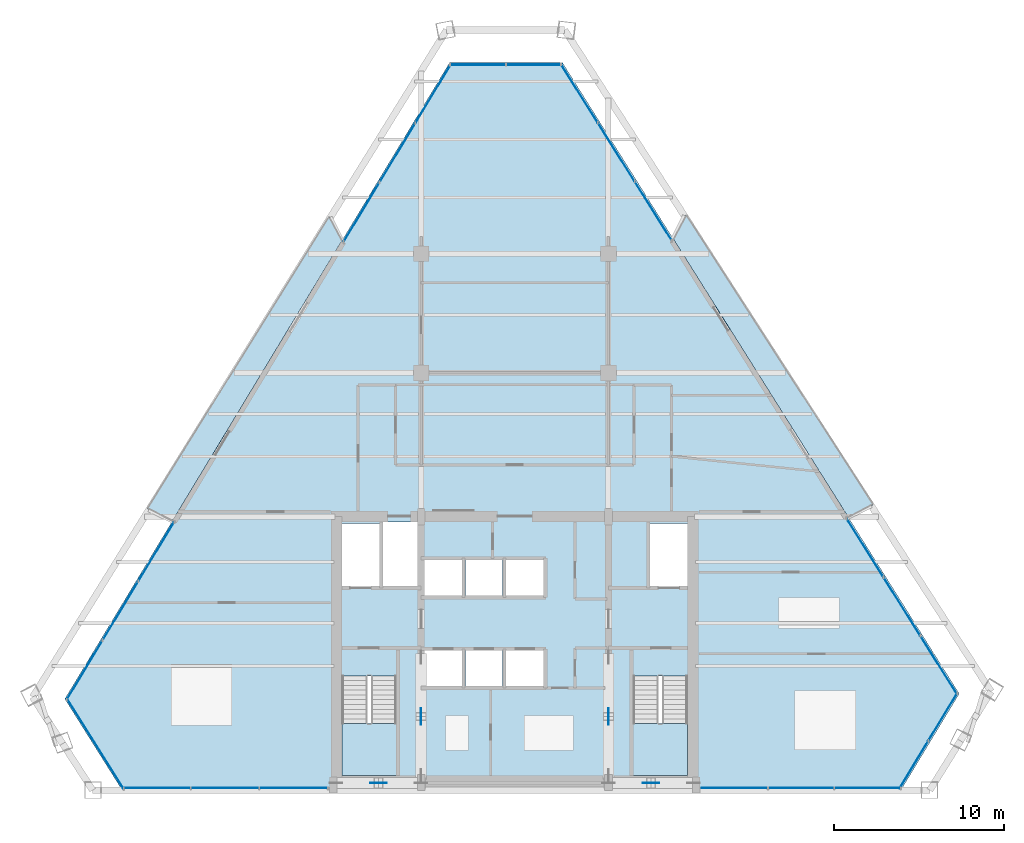
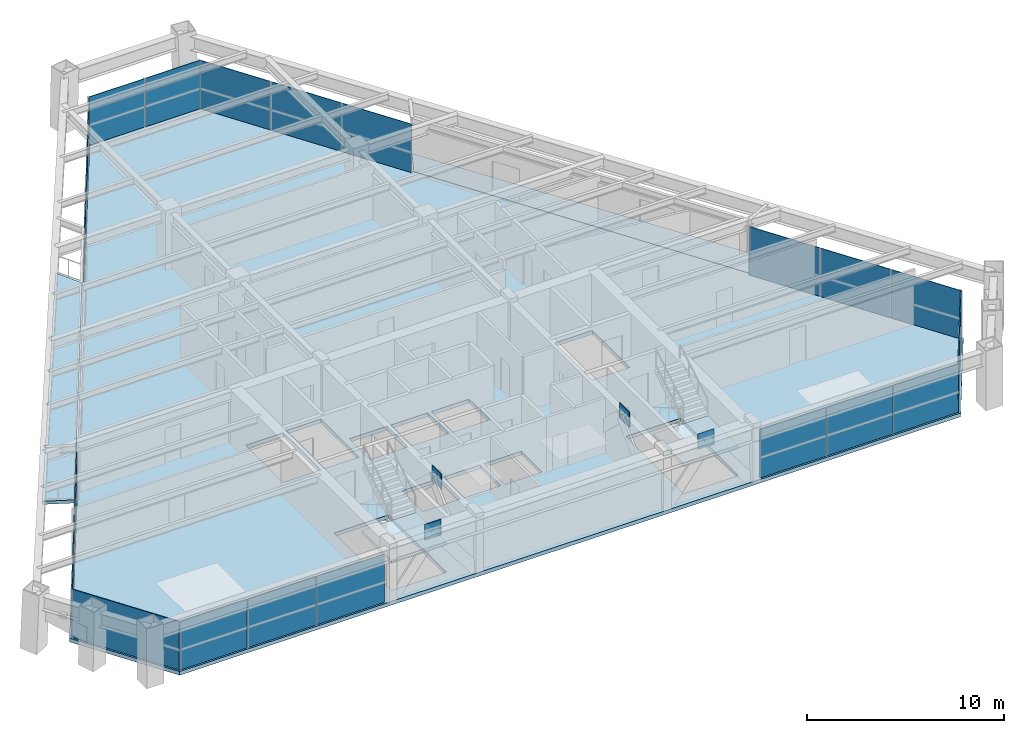
# One storey, part 7 of 12: 27 plates, 5 slabs, 11 elements without a shape of their own.
"""IFC4 building model written with IfcOpenShell, lengths in metres."""

from ifc_helpers import new_model, si_unit, direction, frame, origin, origin_2d, place, context, subcontext, project, spatial, polyline, rectangle, outline, extrude, source, transform, mapped, material, layer, layer_set, type_object, element, aggregate, save


model = new_model("IFC4")

# Units and contexts
model_context = context("Model", 3, precision=1e-05, world=origin(), true_north=direction((0.0, 1.0)))
body_context = subcontext(model_context, "Body", "Model", "MODEL_VIEW")
ifc_project = project(units=[si_unit("LENGTHUNIT", "METRE"), si_unit("AREAUNIT", "SQUARE_METRE"), si_unit("VOLUMEUNIT", "CUBIC_METRE"), si_unit("PLANEANGLEUNIT", "RADIAN"), si_unit("MASSUNIT", "GRAM", prefix="KILO")], contexts=[model_context])

# Site, building, storey
site_placement = place(None, origin())
site = spatial("IfcSite", under=ifc_project, at=site_placement, CompositionType="ELEMENT")
building_placement = place(site_placement, origin())
building = spatial("IfcBuilding", under=site, at=building_placement, Name="Varnakhor Terracotta Tower", CompositionType="ELEMENT")
storey_placement = place(building_placement, frame((0.0, 0.0, 211.699951171875)))
storey = spatial("IfcBuildingStorey", under=building, at=storey_placement, Name="L54", CompositionType="ELEMENT", Elevation=211.699951171875)

# Stair, slab
ifc_material_1 = material(Name="Concrete C40/50", Category="concrete")
stair_type = type_object("IfcStairType", Name="STR-CORE-OFFICE-1500", PredefinedType="HALF_TURN_STAIR", material=ifc_material_1)
stair_1_placement = place(storey_placement, origin())
stair_1 = element("IfcStair", 1, at=stair_1_placement, inside=storey, type_object=stair_type, Name="L54 Core Exit Stair ST-1", PredefinedType="HALF_TURN_STAIR")
ifc_layer_1 = layer(ifc_material_1, 0.179931640625, Name="Concrete C40/50")
ifc_layer_set_1 = layer_set([ifc_layer_1], Name="Concrete C40/50")
slab_type_1 = type_object("IfcSlabType", Name="SLB-LANDING-180", PredefinedType="LANDING", material=ifc_layer_set_1)
slab_1_placement = place(storey_placement, frame((0.0, 0.0, 1.650146484375)))
slab_1 = element("IfcSlab", 2, at=slab_1_placement, type_object=slab_type_1, Name="ST-1 landing 1", PredefinedType="LANDING", context=body_context, shape_type="SweptSolid", body=[
    extrude(outline(polyline([(-10.14990234375, 3.909912109375), (-10.14990234375, 0.85009765625), (-6.949951171875, 0.85009765625), (-6.949951171875, 3.909912109375), (-10.14990234375, 3.909912109375)])), origin(), (0.0, 0.0, 1.0), 0.199951171875),
])
aggregate(stair_1, [slab_1])

stair_2_placement = place(storey_placement, origin())
stair_2 = element("IfcStair", 3, at=stair_2_placement, inside=storey, type_object=stair_type, Name="L54 Core Exit Stair ST-2", PredefinedType="HALF_TURN_STAIR")
slab_2_placement = place(storey_placement, frame((0.0, 0.0, 1.650146484375)))
slab_2 = element("IfcSlab", 4, at=slab_2_placement, type_object=slab_type_1, Name="ST-2 landing 1", PredefinedType="LANDING", context=body_context, shape_type="SweptSolid", body=[
    extrude(outline(polyline([(6.949951171875, 3.909912109375), (6.949951171875, 0.85009765625), (10.14990234375, 0.85009765625), (10.14990234375, 3.909912109375), (6.949951171875, 3.909912109375)])), origin(), (0.0, 0.0, 1.0), 0.199951171875),
])
aggregate(stair_2, [slab_2])

# Slabs
ifc_layer_2 = layer(ifc_material_1, 0.195068359375, Name="Concrete C40/50")
ifc_layer_set_2 = layer_set([ifc_layer_2], Name="Concrete C40/50")
slab_type_2 = type_object("IfcSlabType", Name="SLB-LOGGIA-EXT-195", PredefinedType="FLOOR", material=ifc_layer_set_2)
slab_3_placement = place(storey_placement, frame((0.0, 0.0, -0.195068359375)))
element("IfcSlab", 5, at=slab_3_placement, inside=storey, type_object=slab_type_2, Name="L54 E Recessed Outdoor Loggia Slab", PredefinedType="FLOOR", context=body_context, shape_type="SweptSolid", body=[
    extrude(outline(polyline([(10.047607421875, 33.784912109375), (21.043701171875, 16.754150390625), (19.577392578125, 16.037109375), (9.326904296875, 32.33935546875), (10.047607421875, 33.784912109375)])), origin(), (0.0, 0.0, 1.0), 0.195068359375),
])
slab_4_placement = place(storey_placement, frame((0.0, 0.0, -0.195068359375)))
element("IfcSlab", 6, at=slab_4_placement, inside=storey, type_object=slab_type_2, Name="L54 W Recessed Outdoor Loggia Slab", PredefinedType="FLOOR", context=body_context, shape_type="SweptSolid", body=[
    extrude(outline(polyline([(-21.572509765625, 16.52392578125), (-10.880859375, 33.695556640625), (-10.156494140625, 32.253662109375), (-20.09619140625, 15.81689453125), (-21.572509765625, 16.52392578125)])), origin(), (0.0, 0.0, 1.0), 0.195068359375),
])
ifc_layer_3 = layer(ifc_material_1, 0.22998046875, Name="Concrete C40/50")
ifc_layer_set_3 = layer_set([ifc_layer_3], Name="Concrete C40/50")
slab_type_3 = type_object("IfcSlabType", Name="SLB-OFF-230", PredefinedType="FLOOR", material=ifc_layer_set_3)
slab_5_placement = place(storey_placement, frame((0.0, 0.0, -0.22998046875)))
element("IfcSlab", 7, at=slab_5_placement, inside=storey, type_object=slab_type_3, Name="L54 Structural Floor Slab", PredefinedType="FLOOR", context=body_context, shape_type="SweptSolid", body=[
    extrude(outline(polyline([(-26.42138671875, 5.357177734375), (-3.8310546875, 42.71337890625), (2.803955078125, 42.71337890625), (26.100341796875, 5.6630859375), (22.67578125, 0.0), (-23.052978515625, 0.0), (-26.42138671875, 5.357177734375)]), holes=[polyline([(-6.949951171875, 0.85009765625), (-6.949951171875, 6.695068359375), (-10.14990234375, 6.695068359375), (-10.14990234375, 0.85009765625), (-6.949951171875, 0.85009765625)]), polyline([(-3.10009765625, 6.10009765625), (-3.10009765625, 8.199951171875), (-5.300048828125, 8.199951171875), (-5.300048828125, 6.10009765625), (-3.10009765625, 6.10009765625)]), polyline([(-0.719970703125, 6.10009765625), (-0.719970703125, 8.199951171875), (-2.8798828125, 8.199951171875), (-2.8798828125, 6.10009765625), (-0.719970703125, 6.10009765625)]), polyline([(-5.300048828125, 11.419921875), (-3.10009765625, 11.419921875), (-3.10009765625, 13.52001953125), (-5.300048828125, 13.52001953125), (-5.300048828125, 11.419921875)]), polyline([(-10.14990234375, 11.8798828125), (-7.949951171875, 11.8798828125), (-7.949951171875, 15.64990234375), (-10.14990234375, 15.64990234375), (-10.14990234375, 11.8798828125)]), polyline([(-5.699951171875, 11.8798828125), (-5.699951171875, 15.75), (-7.72998046875, 15.75), (-7.72998046875, 11.8798828125), (-5.699951171875, 11.8798828125)]), polyline([(6.949951171875, 0.85009765625), (10.14990234375, 0.85009765625), (10.14990234375, 6.695068359375), (6.949951171875, 6.695068359375), (6.949951171875, 0.85009765625)]), polyline([(-0.5, 6.10009765625), (1.699951171875, 6.10009765625), (1.699951171875, 8.199951171875), (-0.5, 8.199951171875), (-0.5, 6.10009765625)]), polyline([(-0.719970703125, 11.419921875), (-0.719970703125, 13.52001953125), (-2.8798828125, 13.52001953125), (-2.8798828125, 11.419921875), (-0.719970703125, 11.419921875)]), polyline([(-0.5, 11.419921875), (1.699951171875, 11.419921875), (1.699951171875, 13.52001953125), (-0.5, 13.52001953125), (-0.5, 11.419921875)]), polyline([(7.949951171875, 11.8798828125), (10.14990234375, 11.8798828125), (10.14990234375, 15.64990234375), (7.949951171875, 15.64990234375), (7.949951171875, 11.8798828125)])]), origin(), (0.0, 0.0, 1.0), 0.22998046875),
])

# Plates
ifc_material_2 = material(Name="Steel S460", Category="steel")
ifc_layer_4 = layer(ifc_material_2, 0.050048828125, Name="Steel S460")
ifc_layer_set_4 = layer_set([ifc_layer_4], Name="Steel S460")
plate_type_1 = type_object("IfcPlateType", Name="PLT-GUSSET-50", PredefinedType="USERDEFINED", material=ifc_layer_set_4)
shared_shape_1 = source(origin(), body_context, "Body", "SweptSolid", [
    extrude(rectangle(XDim=0.949951171875, YDim=0.044921875, at=origin_2d()), origin(), (0.0, 0.0, 1.0), 0.949951171875),
])
for number, where, z_axis, x_axis, name in (
    (8, (-8.0, 0.419921875, 2.794921875), (0.0, 0.0, 1.0), (1.0, 0.0, 0.0), "L54 Core Brace Apex Gusset CSW"),
    (9, (8.0, 0.419921875, 2.794921875), (0.0, 0.0, 1.0), (1.0, 0.0, 0.0), "L54 Core Brace Apex Gusset CSE"),
    (10, (-5.5, 4.324951171875, 2.794921875), (0.0, 0.0, 1.0), (0.0, 1.0, 0.0), "L54 Core Brace Apex Gusset CWW"),
    (11, (5.5, 4.324951171875, 2.794921875), (0.0, 0.0, 1.0), (0.0, 1.0, 0.0), "L54 Core Brace Apex Gusset CWE"),
):
    element("IfcPlate", number, at=place(storey_placement, frame(where, z_axis=z_axis, x_axis=x_axis)), inside=storey, type_object=plate_type_1, Name=name, ObjectType="GUSSET PLATE", PredefinedType="USERDEFINED", context=body_context, shape_type="MappedRepresentation", body=[
        mapped(shared_shape_1, transform((0.0, 0.0, 0.0), scale=1.0)),
    ])

# Curtain wall, plate
ifc_material_3 = material(Name="Anodised Aluminium Curtain Wall System", Category="aluminium")
curtain_wall_type = type_object("IfcCurtainWallType", Name="CW-SYS-MID-OFFICE", PredefinedType="NOTDEFINED", material=ifc_material_3)
curtain_wall_1_placement = place(storey_placement, origin())
curtain_wall_1 = element("IfcCurtainWall", 12, at=curtain_wall_1_placement, inside=storey, type_object=curtain_wall_type, Name="L54 W Facet Curtain Wall 1", PredefinedType="NOTDEFINED")
ifc_material_4 = material(Name="Solar-Control Low-E Insulated Glass Panel", Category="glass")
ifc_layer_5 = layer(ifc_material_4, 0.035888671875, Name="Solar-Control Low-E Insulated Glass Panel")
ifc_layer_set_5 = layer_set([ifc_layer_5], Name="Solar-Control Low-E Insulated Glass Panel")
plate_type_2 = type_object("IfcPlateType", Name="CWP-03", PredefinedType="CURTAIN_PANEL", material=ifc_layer_set_5)
shared_shape_2 = source(origin(), body_context, "Body", "SweptSolid", [
    extrude(rectangle(XDim=4.014404296875, YDim=0.035888671875, at=origin_2d()), origin(), (0.0, 0.0, 1.0), 3.0),
])
plate_1_placement = place(storey_placement, frame((-25.254150390625, 7.055419921875, 0.0), z_axis=(0.0, 0.0, 1.0), x_axis=(0.51747453126, 0.855698609031, 0.0)))
plate_1 = element("IfcPlate", 13, at=plate_1_placement, type_object=plate_type_2, Name="L54 W Facet Curtain Wall 1 Glazed Panel 1", PredefinedType="CURTAIN_PANEL", context=body_context, shape_type="MappedRepresentation", body=[
    mapped(shared_shape_2, transform((0.0, 0.0, 0.0), scale=1.0)),
])

curtain_wall_2_placement = place(storey_placement, origin())
curtain_wall_2 = element("IfcCurtainWall", 14, at=curtain_wall_2_placement, inside=storey, type_object=curtain_wall_type, Name="L54 W Facet Curtain Wall 2", PredefinedType="NOTDEFINED")
plate_2_placement = place(storey_placement, frame((-4.79296875, 40.890869140625, 0.0), z_axis=(0.0, 0.0, 1.0), x_axis=(0.51747453126, 0.855698609031, 0.0)))
plate_2 = element("IfcPlate", 15, at=plate_2_placement, type_object=plate_type_2, Name="L54 W Facet Curtain Wall 2 Glazed Panel 3", PredefinedType="CURTAIN_PANEL", context=body_context, shape_type="MappedRepresentation", body=[
    mapped(shared_shape_2, transform((0.0, 0.0, 0.0), scale=1.0)),
])

# Plate
shared_shape_3 = source(origin(), body_context, "Body", "SweptSolid", [
    extrude(rectangle(XDim=4.0146484375, YDim=0.035888671875, at=origin_2d()), origin(), (0.0, 0.0, 1.0), 3.0),
])
plate_3_placement = place(storey_placement, frame((-23.15625, 10.52490234375, 0.0), z_axis=(0.0, 0.0, 1.0), x_axis=(0.51747453126, 0.855698609031, 0.0)))
plate_3 = element("IfcPlate", 16, at=plate_3_placement, type_object=plate_type_2, Name="L54 W Facet Curtain Wall 1 Glazed Panel 2", PredefinedType="CURTAIN_PANEL", context=body_context, shape_type="MappedRepresentation", body=[
    mapped(shared_shape_3, transform((0.0, 0.0, 0.0), scale=1.0)),
])

plate_4_placement = place(storey_placement, frame((-21.05810546875, 13.994384765625, 0.0), z_axis=(0.0, 0.0, 1.0), x_axis=(0.51747453126, 0.855698609031, 0.0)))
plate_4 = element("IfcPlate", 17, at=plate_4_placement, type_object=plate_type_2, Name="L54 W Facet Curtain Wall 1 Glazed Panel 3", PredefinedType="CURTAIN_PANEL", context=body_context, shape_type="MappedRepresentation", body=[
    mapped(shared_shape_3, transform((0.0, 0.0, 0.0), scale=1.0)),
])

aggregate(curtain_wall_1, [plate_1, plate_3, plate_4])

plate_5_placement = place(storey_placement, frame((-8.9892578125, 33.951904296875, 0.0), z_axis=(0.0, 0.0, 1.0), x_axis=(0.51747453126, 0.855698609031, 0.0)))
plate_5 = element("IfcPlate", 18, at=plate_5_placement, type_object=plate_type_2, Name="L54 W Facet Curtain Wall 2 Glazed Panel 1", PredefinedType="CURTAIN_PANEL", context=body_context, shape_type="MappedRepresentation", body=[
    mapped(shared_shape_3, transform((0.0, 0.0, 0.0), scale=1.0)),
])

plate_6_placement = place(storey_placement, frame((-6.89111328125, 37.42138671875, 0.0), z_axis=(0.0, 0.0, 1.0), x_axis=(0.51747453126, 0.855698609031, 0.0)))
plate_6 = element("IfcPlate", 19, at=plate_6_placement, type_object=plate_type_2, Name="L54 W Facet Curtain Wall 2 Glazed Panel 2", PredefinedType="CURTAIN_PANEL", context=body_context, shape_type="MappedRepresentation", body=[
    mapped(shared_shape_3, transform((0.0, 0.0, 0.0), scale=1.0)),
])

aggregate(curtain_wall_2, [plate_5, plate_6, plate_2])

# Curtain wall, plates
curtain_wall_3_placement = place(storey_placement, origin())
curtain_wall_3 = element("IfcCurtainWall", 20, at=curtain_wall_3_placement, inside=storey, type_object=curtain_wall_type, Name="L54 Facet Curtain Wall 2", PredefinedType="NOTDEFINED")
shared_shape_4 = source(origin(), body_context, "Body", "SweptSolid", [
    extrude(rectangle(XDim=3.24755859375, YDim=0.035888671875, at=origin_2d()), origin(), (0.0, 0.0, 1.0), 3.0),
])
plate_7_placement = place(storey_placement, frame((-2.1572265625, 42.593505859375, 0.0), z_axis=(0.0, 0.0, 1.0), x_axis=(1.0, 0.0, 0.0)))
plate_7 = element("IfcPlate", 21, at=plate_7_placement, type_object=plate_type_2, Name="L54 Facet Curtain Wall 2 Glazed Panel 1", PredefinedType="CURTAIN_PANEL", context=body_context, shape_type="MappedRepresentation", body=[
    mapped(shared_shape_4, transform((0.0, 0.0, 0.0), scale=1.0)),
])
plate_8_placement = place(storey_placement, frame((1.130126953125, 42.593505859375, 0.0), z_axis=(0.0, 0.0, 1.0), x_axis=(1.0, 0.0, 0.0)))
plate_8 = element("IfcPlate", 22, at=plate_8_placement, type_object=plate_type_2, Name="L54 Facet Curtain Wall 2 Glazed Panel 2", PredefinedType="CURTAIN_PANEL", context=body_context, shape_type="MappedRepresentation", body=[
    mapped(shared_shape_4, transform((0.0, 0.0, 0.0), scale=1.0)),
])
aggregate(curtain_wall_3, [plate_7, plate_8])

curtain_wall_4_placement = place(storey_placement, origin())
curtain_wall_4 = element("IfcCurtainWall", 23, at=curtain_wall_4_placement, inside=storey, type_object=curtain_wall_type, Name="L54 E Facet Curtain Wall 1", PredefinedType="NOTDEFINED")
shared_shape_5 = source(origin(), body_context, "Body", "SweptSolid", [
    extrude(rectangle(XDim=4.02490234375, YDim=0.035888671875, at=origin_2d()), origin(), (0.0, 0.0, 1.0), 3.0),
])
plate_9_placement = place(storey_placement, frame((3.80029296875, 40.903564453125, 0.0), z_axis=(0.0, 0.0, 1.0), x_axis=(0.532300167251, -0.846555687445, 0.0)))
plate_9 = element("IfcPlate", 24, at=plate_9_placement, type_object=plate_type_2, Name="L54 E Facet Curtain Wall 1 Glazed Panel 1", PredefinedType="CURTAIN_PANEL", context=body_context, shape_type="MappedRepresentation", body=[
    mapped(shared_shape_5, transform((0.0, 0.0, 0.0), scale=1.0)),
])
plate_10_placement = place(storey_placement, frame((5.9638671875, 37.46240234375, 0.0), z_axis=(0.0, 0.0, 1.0), x_axis=(0.532300167251, -0.846555687445, 0.0)))
plate_10 = element("IfcPlate", 25, at=plate_10_placement, type_object=plate_type_2, Name="L54 E Facet Curtain Wall 1 Glazed Panel 2", PredefinedType="CURTAIN_PANEL", context=body_context, shape_type="MappedRepresentation", body=[
    mapped(shared_shape_5, transform((0.0, 0.0, 0.0), scale=1.0)),
])
plate_11_placement = place(storey_placement, frame((8.12744140625, 34.021240234375, 0.0), z_axis=(0.0, 0.0, 1.0), x_axis=(0.532300167251, -0.846555687445, 0.0)))
plate_11 = element("IfcPlate", 26, at=plate_11_placement, type_object=plate_type_2, Name="L54 E Facet Curtain Wall 1 Glazed Panel 3", PredefinedType="CURTAIN_PANEL", context=body_context, shape_type="MappedRepresentation", body=[
    mapped(shared_shape_5, transform((0.0, 0.0, 0.0), scale=1.0)),
])
aggregate(curtain_wall_4, [plate_9, plate_10, plate_11])

curtain_wall_5_placement = place(storey_placement, origin())
curtain_wall_5 = element("IfcCurtainWall", 27, at=curtain_wall_5_placement, inside=storey, type_object=curtain_wall_type, Name="L54 E Facet Curtain Wall 2", PredefinedType="NOTDEFINED")
plate_12_placement = place(storey_placement, frame((20.573486328125, 14.227294921875, 0.0), z_axis=(0.0, 0.0, 1.0), x_axis=(0.532300167251, -0.846555687445, 0.0)))
plate_12 = element("IfcPlate", 28, at=plate_12_placement, type_object=plate_type_2, Name="L54 E Facet Curtain Wall 2 Glazed Panel 1", PredefinedType="CURTAIN_PANEL", context=body_context, shape_type="MappedRepresentation", body=[
    mapped(shared_shape_5, transform((0.0, 0.0, 0.0), scale=1.0)),
])
plate_13_placement = place(storey_placement, frame((22.7373046875, 10.7861328125, 0.0), z_axis=(0.0, 0.0, 1.0), x_axis=(0.532300167251, -0.846555687445, 0.0)))
plate_13 = element("IfcPlate", 29, at=plate_13_placement, type_object=plate_type_2, Name="L54 E Facet Curtain Wall 2 Glazed Panel 2", PredefinedType="CURTAIN_PANEL", context=body_context, shape_type="MappedRepresentation", body=[
    mapped(shared_shape_5, transform((0.0, 0.0, 0.0), scale=1.0)),
])
plate_14_placement = place(storey_placement, frame((24.90087890625, 7.34521484375, 0.0), z_axis=(0.0, 0.0, 1.0), x_axis=(0.532300167251, -0.846555687445, 0.0)))
plate_14 = element("IfcPlate", 30, at=plate_14_placement, type_object=plate_type_2, Name="L54 E Facet Curtain Wall 2 Glazed Panel 3", PredefinedType="CURTAIN_PANEL", context=body_context, shape_type="MappedRepresentation", body=[
    mapped(shared_shape_5, transform((0.0, 0.0, 0.0), scale=1.0)),
])
aggregate(curtain_wall_5, [plate_12, plate_13, plate_14])

curtain_wall_6_placement = place(storey_placement, origin())
curtain_wall_6 = element("IfcCurtainWall", 31, at=curtain_wall_6_placement, inside=storey, type_object=curtain_wall_type, Name="L54 Facet Curtain Wall 4", PredefinedType="NOTDEFINED")
shared_shape_6 = source(origin(), body_context, "Body", "SweptSolid", [
    extrude(rectangle(XDim=3.239013671875, YDim=0.035888671875, at=origin_2d()), origin(), (0.0, 0.0, 1.0), 3.0),
])
plate_15_placement = place(storey_placement, frame((25.1337890625, 4.29638671875, 0.0), z_axis=(0.0, 0.0, 1.0), x_axis=(-0.517459596423, -0.855707640535, 0.0)))
plate_15 = element("IfcPlate", 32, at=plate_15_placement, type_object=plate_type_2, Name="L54 Facet Curtain Wall 4 Glazed Panel 1", PredefinedType="CURTAIN_PANEL", context=body_context, shape_type="MappedRepresentation", body=[
    mapped(shared_shape_6, transform((0.0, 0.0, 0.0), scale=1.0)),
])
plate_16_placement = place(storey_placement, frame((23.43701171875, 1.49072265625, 0.0), z_axis=(0.0, 0.0, 1.0), x_axis=(-0.517459596423, -0.855707640535, 0.0)))
plate_16 = element("IfcPlate", 33, at=plate_16_placement, type_object=plate_type_2, Name="L54 Facet Curtain Wall 4 Glazed Panel 2", PredefinedType="CURTAIN_PANEL", context=body_context, shape_type="MappedRepresentation", body=[
    mapped(shared_shape_6, transform((0.0, 0.0, 0.0), scale=1.0)),
])
aggregate(curtain_wall_6, [plate_15, plate_16])

curtain_wall_7_placement = place(storey_placement, origin())
curtain_wall_7 = element("IfcCurtainWall", 34, at=curtain_wall_7_placement, inside=storey, type_object=curtain_wall_type, Name="L54 South Wing Curtain Wall SSE", PredefinedType="NOTDEFINED")
shared_shape_7 = source(origin(), body_context, "Body", "SweptSolid", [
    extrude(rectangle(XDim=3.858642578125, YDim=0.035888671875, at=origin_2d()), origin(), (0.0, 0.0, 1.0), 3.0),
])
plate_17_placement = place(storey_placement, frame((20.71630859375, 0.1201171875, 0.0), z_axis=(0.0, 0.0, 1.0), x_axis=(-1.0, 0.0, 0.0)))
plate_17 = element("IfcPlate", 35, at=plate_17_placement, type_object=plate_type_2, Name="L54 South Wing Curtain Wall SSE Glazed Panel 1", PredefinedType="CURTAIN_PANEL", context=body_context, shape_type="MappedRepresentation", body=[
    mapped(shared_shape_7, transform((0.0, 0.0, 0.0), scale=1.0)),
])
plate_18_placement = place(storey_placement, frame((12.919189453125, 0.1201171875, 0.0), z_axis=(0.0, 0.0, 1.0), x_axis=(-1.0, 0.0, 0.0)))
plate_18 = element("IfcPlate", 36, at=plate_18_placement, type_object=plate_type_2, Name="L54 South Wing Curtain Wall SSE Glazed Panel 3", PredefinedType="CURTAIN_PANEL", context=body_context, shape_type="MappedRepresentation", body=[
    mapped(shared_shape_7, transform((0.0, 0.0, 0.0), scale=1.0)),
])
shared_shape_8 = source(origin(), body_context, "Body", "SweptSolid", [
    extrude(rectangle(XDim=3.8583984375, YDim=0.035888671875, at=origin_2d()), origin(), (0.0, 0.0, 1.0), 3.0),
])
plate_19_placement = place(storey_placement, frame((16.81787109375, 0.1201171875, 0.0), z_axis=(0.0, 0.0, 1.0), x_axis=(-1.0, 0.0, 0.0)))
plate_19 = element("IfcPlate", 37, at=plate_19_placement, type_object=plate_type_2, Name="L54 South Wing Curtain Wall SSE Glazed Panel 2", PredefinedType="CURTAIN_PANEL", context=body_context, shape_type="MappedRepresentation", body=[
    mapped(shared_shape_8, transform((0.0, 0.0, 0.0), scale=1.0)),
])
aggregate(curtain_wall_7, [plate_17, plate_19, plate_18])

curtain_wall_8_placement = place(storey_placement, origin())
curtain_wall_8 = element("IfcCurtainWall", 38, at=curtain_wall_8_placement, inside=storey, type_object=curtain_wall_type, Name="L54 South Wing Curtain Wall SSW", PredefinedType="NOTDEFINED")
shared_shape_9 = source(origin(), body_context, "Body", "SweptSolid", [
    extrude(rectangle(XDim=3.984375, YDim=0.035888671875, at=origin_2d()), origin(), (0.0, 0.0, 1.0), 3.0),
])
plate_20_placement = place(storey_placement, frame((-12.982177734375, 0.1201171875, 0.0), z_axis=(0.0, 0.0, 1.0), x_axis=(-1.0, 0.0, 0.0)))
plate_20 = element("IfcPlate", 39, at=plate_20_placement, type_object=plate_type_2, Name="L54 South Wing Curtain Wall SSW Glazed Panel 1", PredefinedType="CURTAIN_PANEL", context=body_context, shape_type="MappedRepresentation", body=[
    mapped(shared_shape_9, transform((0.0, 0.0, 0.0), scale=1.0)),
])
plate_21_placement = place(storey_placement, frame((-17.006591796875, 0.1201171875, 0.0), z_axis=(0.0, 0.0, 1.0), x_axis=(-1.0, 0.0, 0.0)))
plate_21 = element("IfcPlate", 40, at=plate_21_placement, type_object=plate_type_2, Name="L54 South Wing Curtain Wall SSW Glazed Panel 2", PredefinedType="CURTAIN_PANEL", context=body_context, shape_type="MappedRepresentation", body=[
    mapped(shared_shape_9, transform((0.0, 0.0, 0.0), scale=1.0)),
])
plate_22_placement = place(storey_placement, frame((-21.031005859375, 0.1201171875, 0.0), z_axis=(0.0, 0.0, 1.0), x_axis=(-1.0, 0.0, 0.0)))
plate_22 = element("IfcPlate", 41, at=plate_22_placement, type_object=plate_type_2, Name="L54 South Wing Curtain Wall SSW Glazed Panel 3", PredefinedType="CURTAIN_PANEL", context=body_context, shape_type="MappedRepresentation", body=[
    mapped(shared_shape_9, transform((0.0, 0.0, 0.0), scale=1.0)),
])
aggregate(curtain_wall_8, [plate_20, plate_21, plate_22])

# Curtain wall, plate
curtain_wall_9_placement = place(storey_placement, origin())
curtain_wall_9 = element("IfcCurtainWall", 42, at=curtain_wall_9_placement, inside=storey, type_object=curtain_wall_type, Name="L54 Facet Curtain Wall 6", PredefinedType="NOTDEFINED")
shared_shape_10 = source(origin(), body_context, "Body", "SweptSolid", [
    extrude(rectangle(XDim=6.22802734375, YDim=0.035888671875, at=origin_2d()), origin(), (0.0, 0.0, 1.0), 3.0),
])
plate_23_placement = place(storey_placement, frame((-24.635498046875, 2.742431640625, 0.0), z_axis=(0.0, 0.0, 1.0), x_axis=(-0.532300167251, 0.846555687445, 0.0)))
plate_23 = element("IfcPlate", 43, at=plate_23_placement, type_object=plate_type_2, Name="L54 Facet Curtain Wall 6 Glazed Panel 1", PredefinedType="CURTAIN_PANEL", context=body_context, shape_type="MappedRepresentation", body=[
    mapped(shared_shape_10, transform((0.0, 0.0, 0.0), scale=1.0)),
])
aggregate(curtain_wall_9, [plate_23])

save(model, "model.ifc")
